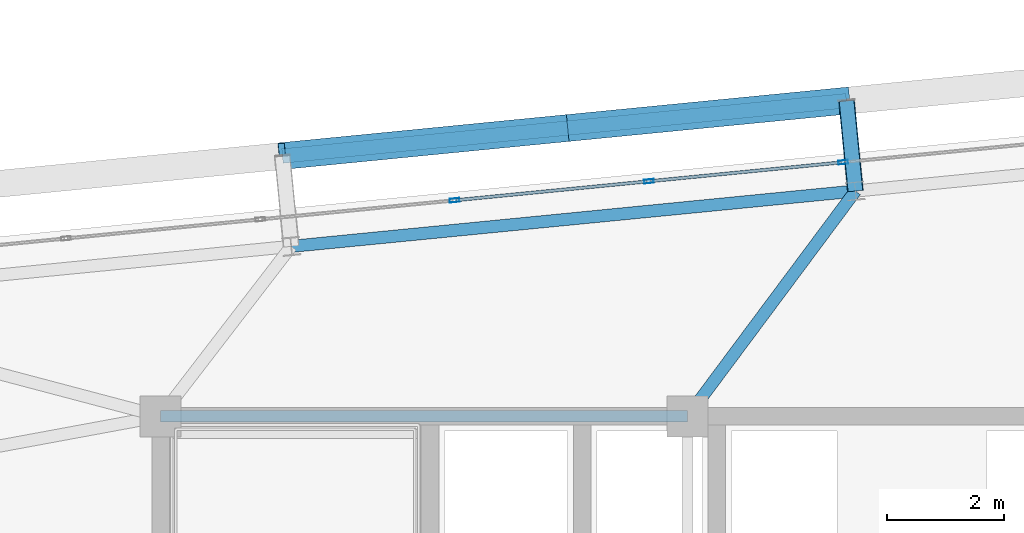
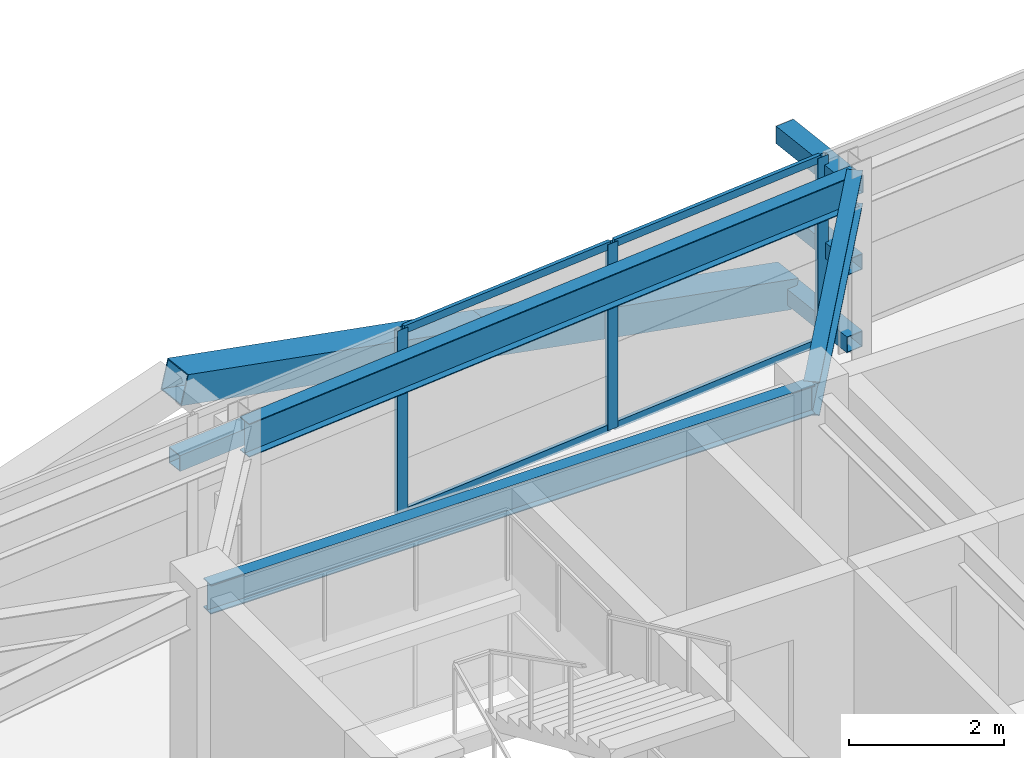
# One storey, part 29 of 53: 13 members, 3 beams, 1 element without a shape of its own.
"""IFC4 building model written with IfcOpenShell, lengths in metres."""

import ifcopenshell
import ifcopenshell.guid

model = None  # the IFC model being written
_history = None  # IfcOwnerHistory: only IFC2X3 demands one
_inside = {}  # id of a spatial element -> (the spatial element, [elements in it])
_under = {}  # id of a project, library or spatial element -> (it, [spatial elements below it])
_declared = {}  # id of a project -> (the project, [libraries it declares])
_typed = {}  # id of a type object -> (the type object, [elements of that type])
_made_of = {}  # id of a material, layer set ... -> (it, [elements and type objects made of it])


def new_model(schema):
    """Start an empty IFC model of exactly this schema.

    Asked for "IFC4X3", IfcOpenShell would pick the latest addendum, in which some entities
    have other attributes; the version numbers below select the first issue.
    IFC2X3 requires an IfcOwnerHistory on every rooted entity: one is made here for all.
    """
    global model, _history
    if schema == "IFC4X3":
        model = ifcopenshell.file(schema_version=(4, 3, 0, 0))
    else:
        model = ifcopenshell.file(schema=schema)
    _inside.clear()
    _under.clear()
    _declared.clear()
    _typed.clear()
    _made_of.clear()
    _history = None
    if model.schema == "IFC2X3":
        org = make("IfcOrganization", Name="unknown")
        user = make(
            "IfcPersonAndOrganization",
            ThePerson=make("IfcPerson", FamilyName="unknown"),
            TheOrganization=org,
        )
        app = make(
            "IfcApplication",
            ApplicationDeveloper=org,
            Version="unknown",
            ApplicationFullName="unknown",
            ApplicationIdentifier="unknown",
        )
        _history = make(
            "IfcOwnerHistory",
            OwningUser=user,
            OwningApplication=app,
            ChangeAction="ADDED",
            CreationDate=0,
        )
    return model


def make(cls, **values):
    """One entity of the class cls with the attributes given. An attribute that is None is left unset."""
    return model.create_entity(
        cls, **{name: value for name, value in values.items() if value is not None}
    )


def rooted(cls, **values):
    """An entity with a GlobalId (a new one), such as an element, a storey or a relation."""
    return make(cls, GlobalId=ifcopenshell.guid.new(), OwnerHistory=_history, **values)


def si_unit(unit_type, name, prefix=None):
    """IfcSIUnit, for example si_unit("LENGTHUNIT", "METRE", prefix="MILLI")."""
    return make("IfcSIUnit", UnitType=unit_type, Prefix=prefix, Name=name)


def assignment(units):
    """IfcUnitAssignment: the units of a project."""
    return None if units is None else make("IfcUnitAssignment", Units=units)


def point(xyz):
    """IfcCartesianPoint."""
    return None if xyz is None else make("IfcCartesianPoint", Coordinates=xyz)


def direction(xyz):
    """IfcDirection."""
    return None if xyz is None else make("IfcDirection", DirectionRatios=xyz)


def frame(location, z_axis=None, x_axis=None):
    """IfcAxis2Placement3D, a coordinate frame: its origin and axes. An axis left out is left unset."""
    return make(
        "IfcAxis2Placement3D",
        Location=point(location),
        Axis=direction(z_axis),
        RefDirection=direction(x_axis),
    )


def frame_2d(location, x_axis=None):
    """IfcAxis2Placement2D, a coordinate frame in the plane: its origin and x axis."""
    return make(
        "IfcAxis2Placement2D", Location=point(location), RefDirection=direction(x_axis)
    )


def origin():
    """The frame at (0, 0, 0) with its axes left unset."""
    return frame((0.0, 0.0, 0.0))


def origin_2d():
    """The frame at (0, 0) in the plane with its x axis left unset."""
    return frame_2d((0.0, 0.0))


def place(relative_to, where):
    """IfcLocalPlacement: puts the frame where relative to a parent placement (None: the world)."""
    return make(
        "IfcLocalPlacement", PlacementRelTo=relative_to, RelativePlacement=where
    )


def context(
    kind, dimensions, precision=None, world=None, true_north=None, identifier=None
):
    """IfcGeometricRepresentationContext, for example the 3D "Model" context."""
    return make(
        "IfcGeometricRepresentationContext",
        ContextIdentifier=identifier,
        ContextType=kind,
        CoordinateSpaceDimension=dimensions,
        Precision=precision,
        WorldCoordinateSystem=world,
        TrueNorth=true_north,
    )


def subcontext(parent, identifier, kind, view, scale=None):
    """IfcGeometricRepresentationSubContext, for example "Body" below "Model"."""
    return make(
        "IfcGeometricRepresentationSubContext",
        ContextIdentifier=identifier,
        ContextType=kind,
        ParentContext=parent,
        TargetScale=scale,
        TargetView=view,
    )


def project(units=None, contexts=None):
    """IfcProject with its units and contexts."""
    return rooted(
        "IfcProject",
        Name="project",
        RepresentationContexts=contexts,
        UnitsInContext=assignment(units),
    )


def spatial(cls, under=None, at=None, **own):
    """A site, building, storey or space (cls), placed at a placement, below another one or the project."""
    s = rooted(cls, ObjectPlacement=at, **own)
    if under is not None:
        _under.setdefault(under.id(), (under, []))[1].append(s)
    return s


def profile(cls, at=None, kind="AREA", **sizes):
    """A parametric profile (cls). Its sizes go by their IFC names, for example OverallWidth=200.0."""
    return make(cls, ProfileType=kind, Position=at, **sizes)


def hollow_rectangle(**sizes):
    """IfcRectangleHollowProfileDef."""
    return profile("IfcRectangleHollowProfileDef", **sizes)


def i_section(**sizes):
    """IfcIShapeProfileDef."""
    return profile("IfcIShapeProfileDef", **sizes)


def extrude(swept, where, along, depth):
    """IfcExtrudedAreaSolid: the profile swept, set in the frame where, extruded along a direction by depth."""
    return make(
        "IfcExtrudedAreaSolid",
        SweptArea=swept,
        Position=where,
        ExtrudedDirection=direction(along),
        Depth=depth,
    )


def shape(context_of_items, identifier, shape_type, items):
    """IfcShapeRepresentation: the items that make up one representation, for example the "Body"."""
    return make(
        "IfcShapeRepresentation",
        ContextOfItems=context_of_items,
        RepresentationIdentifier=identifier,
        RepresentationType=shape_type,
        Items=items,
    )


def source(mapping_origin, context_of_items, identifier, shape_type, items):
    """IfcRepresentationMap: a shape defined once, which mapped items show again and again."""
    return make(
        "IfcRepresentationMap",
        MappingOrigin=mapping_origin,
        MappedRepresentation=shape(context_of_items, identifier, shape_type, items),
    )


def transform(
    local_origin,
    x_axis=None,
    y_axis=None,
    z_axis=None,
    scale=None,
    scale2=None,
    scale3=None,
    uniform=True,
):
    """IfcCartesianTransformationOperator3D, or its non-uniform kind. x_axis, y_axis, z_axis: its Axis1, 2, 3."""
    if uniform:
        return make(
            "IfcCartesianTransformationOperator3D",
            Axis1=direction(x_axis),
            Axis2=direction(y_axis),
            LocalOrigin=point(local_origin),
            Scale=scale,
            Axis3=direction(z_axis),
        )
    return make(
        "IfcCartesianTransformationOperator3DnonUniform",
        Axis1=direction(x_axis),
        Axis2=direction(y_axis),
        LocalOrigin=point(local_origin),
        Scale=scale,
        Axis3=direction(z_axis),
        Scale2=scale2,
        Scale3=scale3,
    )


def mapped(mapping_source, mapping_target):
    """IfcMappedItem: shows the shape of a source again, moved by a transform."""
    return make(
        "IfcMappedItem", MappingSource=mapping_source, MappingTarget=mapping_target
    )


def material(Name=None, Category=None):
    """IfcMaterial."""
    return make("IfcMaterial", Name=Name, Category=Category)


def layer(
    of_material, thickness, ventilated=None, Name=None, Category=None, Priority=None
):
    """IfcMaterialLayer: one layer of a wall or slab, of a material (None: an air gap)."""
    return make(
        "IfcMaterialLayer",
        Material=of_material,
        LayerThickness=thickness,
        IsVentilated=ventilated,
        Name=Name,
        Category=Category,
        Priority=Priority,
    )


def layer_set(layers, Name=None):
    """IfcMaterialLayerSet."""
    return make("IfcMaterialLayerSet", MaterialLayers=layers, LayerSetName=Name)


def material_profile(
    of_material, cross_section, Name=None, Category=None, Priority=None
):
    """IfcMaterialProfile: a cross section and its material."""
    return make(
        "IfcMaterialProfile",
        Name=Name,
        Material=of_material,
        Profile=cross_section,
        Priority=Priority,
        Category=Category,
    )


def profile_set(profiles, Name=None, composite=None):
    """IfcMaterialProfileSet."""
    return make(
        "IfcMaterialProfileSet",
        Name=Name,
        MaterialProfiles=profiles,
        CompositeProfile=composite,
    )


def made_of(thing, what):
    """Note that an element or type object is made of a material, layer set ...; save() writes the relation."""
    if what is not None:
        _made_of.setdefault(what.id(), (what, []))[1].append(thing)
    return thing


def type_object(cls, material=None, **own):
    """A type object (cls), such as IfcWallType, which elements share."""
    return made_of(rooted(cls, **own), material)


def element(
    cls,
    number,
    at=None,
    inside=None,
    cuts=None,
    type_object=None,
    material=None,
    context=None,
    identifier="Body",
    shape_type=None,
    held_by="IfcProductDefinitionShape",
    body=None,
    shapes=None,
    **own,
):
    """One element of the class cls, such as IfcWall. Its Tag is "e" and its number.

    at: its placement. inside: the storey or other place that contains it. cuts: it is an
    opening in that element (IfcRelVoidsElement). A single representation is given by context,
    identifier, shape_type and body (its items); several are given by shapes. held_by: the class
    of the entity that holds the representations. save() writes the other relations.
    """
    e = rooted(cls, Tag="e%d" % number, ObjectPlacement=at, **own)
    if body is not None:
        shapes = [shape(context, identifier, shape_type, body)]
    if shapes is not None:
        e.Representation = make(held_by, Representations=shapes)
    if inside is not None:
        _inside.setdefault(inside.id(), (inside, []))[1].append(e)
    if cuts is not None:
        rooted(
            "IfcRelVoidsElement", RelatingBuildingElement=cuts, RelatedOpeningElement=e
        )
    if type_object is not None:
        _typed.setdefault(type_object.id(), (type_object, []))[1].append(e)
    return made_of(e, material)


def aggregate(whole, parts):
    """IfcRelAggregates: a whole, such as a stair, and the parts it consists of."""
    return rooted("IfcRelAggregates", RelatingObject=whole, RelatedObjects=parts)


def save(model, path):
    """Write the relations noted so far, then the file.

    IfcRelAggregates (storeys below a building ...), IfcRelContainedInSpatialStructure (elements
    in a storey), IfcRelDefinesByType, IfcRelAssociatesMaterial and IfcRelDeclares: one each for
    every whole, place, type object, material and project.
    """
    for whole, parts in _under.values():
        aggregate(whole, parts)
    for where, things in _inside.values():
        rooted(
            "IfcRelContainedInSpatialStructure",
            RelatedElements=things,
            RelatingStructure=where,
        )
    for kind, things in _typed.values():
        rooted("IfcRelDefinesByType", RelatedObjects=things, RelatingType=kind)
    for what, things in _made_of.values():
        rooted("IfcRelAssociatesMaterial", RelatedObjects=things, RelatingMaterial=what)
    for by, libraries in _declared.values():
        rooted("IfcRelDeclares", RelatingContext=by, RelatedDefinitions=libraries)
    model.write(path)


model = new_model("IFC4")

# Units and contexts
model_context = context("Model", 3, precision=1e-05, world=origin(), true_north=direction((0.0, 1.0)))
body_context = subcontext(model_context, "Body", "Model", "MODEL_VIEW")
ifc_project = project(units=[si_unit("LENGTHUNIT", "METRE"), si_unit("AREAUNIT", "SQUARE_METRE"), si_unit("VOLUMEUNIT", "CUBIC_METRE"), si_unit("PLANEANGLEUNIT", "RADIAN"), si_unit("MASSUNIT", "GRAM", prefix="KILO")], contexts=[model_context])

# Site, building, storey
site_placement = place(None, origin())
site = spatial("IfcSite", under=ifc_project, at=site_placement, CompositionType="ELEMENT")
building_placement = place(site_placement, origin())
building = spatial("IfcBuilding", under=site, at=building_placement, Name="Taldren Reach Tower", CompositionType="ELEMENT")
storey_placement = place(building_placement, frame((0.0, 0.0, 68.25)))
storey = spatial("IfcBuildingStorey", under=building, at=storey_placement, Name="L20", CompositionType="ELEMENT", Elevation=68.25)

# Beam
ifc_material_1 = material(Name="Steel Gr 350 (350PLUS)", Category="steel")
ifc_material_profile_1 = material_profile(ifc_material_1, i_section(OverallWidth=0.19091796875, OverallDepth=0.4599609375, WebThickness=0.010009765625, FlangeThickness=0.01611328125, at=origin_2d()), Name="460UB82.1")
ifc_profile_set_1 = profile_set([ifc_material_profile_1], Name="Steel Gr 350 (350PLUS)")
beam_type_1 = type_object("IfcBeamType", Name="BM-UB460A", PredefinedType="BEAM", material=ifc_profile_set_1)
shared_shape_1 = source(origin(), body_context, "Body", "SweptSolid", [
    extrude(i_section(OverallWidth=0.19091796875, OverallDepth=0.4599609375, WebThickness=0.010009765625, FlangeThickness=0.01611328125, at=origin_2d()), origin(), (0.0, 0.0, 1.0), 9.0),
])
beam_1_placement = place(storey_placement, frame((19.0, 32.0, 2.699951171875), z_axis=(1.0, 0.0, 0.0), x_axis=(0.0, 1.0, 0.0)))
element("IfcBeam", 1, at=beam_1_placement, inside=storey, type_object=beam_type_1, Name="Core-spine girder L20-SP04", PredefinedType="BEAM", context=body_context, shape_type="MappedRepresentation", body=[
    mapped(shared_shape_1, transform((0.0, 0.0, 0.0), scale=1.0)),
])

# Members
ifc_material_2 = material(Name="Steel Gr 450 (C450L0)", Category="steel")
ifc_material_profile_2 = material_profile(ifc_material_2, hollow_rectangle(XDim=0.27490234375, YDim=0.27490234375, WallThickness=0.00927734375, at=origin_2d()), Name="275x275x9.3SHS")
ifc_profile_set_2 = profile_set([ifc_material_profile_2], Name="Steel Gr 450 (C450L0)")
member_type_1 = type_object("IfcMemberType", Name="MB-TIE273", PredefinedType="STRUT", material=ifc_profile_set_2)
shared_shape_2 = source(origin(), body_context, "Body", "SweptSolid", [
    extrude(hollow_rectangle(XDim=0.27490234375, YDim=0.27490234375, WallThickness=0.00927734375, at=origin_2d()), origin(), (0.0, 0.0, 1.0), 1.5498046875),
])
member_1_placement = place(storey_placement, frame((30.864501953125, 35.84619140625, 2.64990234375), z_axis=(-0.097663201064, 0.995219523099, 0.0), x_axis=(-0.995219523099, -0.097663201064, 0.0)))
element("IfcMember", 2, at=member_1_placement, inside=storey, type_object=member_type_1, Name="Exoskeleton diaphragm tie strut B2-N3 L20", PredefinedType="STRUT", context=body_context, shape_type="MappedRepresentation", body=[
    mapped(shared_shape_2, transform((0.0, 0.0, 0.0), scale=1.0)),
])
ifc_material_3 = material(Name="Steel Gr 350 (C350L0)", Category="steel")
ifc_material_profile_3 = material_profile(ifc_material_3, hollow_rectangle(XDim=0.25, YDim=0.25, WallThickness=0.010009765625, at=origin_2d()), Name="250x250x10.0SHS")
ifc_profile_set_3 = profile_set([ifc_material_profile_3], Name="Steel Gr 350 (C350L0)")
member_type_2 = type_object("IfcMemberType", Name="MB-POST250", PredefinedType="POST", material=ifc_profile_set_3)
shared_shape_3 = source(origin(), body_context, "Body", "SweptSolid", [
    extrude(hollow_rectangle(XDim=0.25, YDim=0.25, WallThickness=0.010009765625, at=origin_2d()), origin(), (0.0, 0.0, 1.0), 1.5498046875),
])
for number, where, z_axis, x_axis, name in (
    (3, (30.864501953125, 35.84619140625, 0.219970703125), (-0.097663201064, 0.995219523099, 0.0), (-0.995219523099, -0.097663201064, 0.0), "Exoskeleton base diaphragm tie strut B2-N3 L20"),
    (4, (30.864501953125, 35.84619140625, 1.43505859375), (-0.097663201064, 0.995219523099, 0.0), (-0.995219523099, -0.097663201064, 0.0), "Exoskeleton mid-tier diaphragm tie B2-N3 L20"),
):
    element("IfcMember", number, at=place(storey_placement, frame(where, z_axis=z_axis, x_axis=x_axis)), inside=storey, type_object=member_type_2, Name=name, PredefinedType="POST", context=body_context, shape_type="MappedRepresentation", body=[
        mapped(shared_shape_3, transform((0.0, 0.0, 0.0), scale=1.0)),
    ])

# Beams
ifc_material_profile_4 = material_profile(ifc_material_1, i_section(OverallWidth=0.208984375, OverallDepth=0.528076171875, WebThickness=0.009521484375, FlangeThickness=0.01318359375, at=origin_2d()), Name="530UB82.0")
ifc_profile_set_4 = profile_set([ifc_material_profile_4], Name="Steel Gr 350 (350PLUS)")
beam_type_2 = type_object("IfcBeamType", Name="SP-UB530B", PredefinedType="SPANDREL", material=ifc_profile_set_4)
shared_shape_4 = source(origin(), body_context, "Body", "SweptSolid", [
    extrude(i_section(OverallWidth=0.208984375, OverallDepth=0.528076171875, WebThickness=0.009521484375, FlangeThickness=0.01318359375, at=origin_2d()), origin(), (0.0, 0.0, 1.0), 9.679931640625),
])
beam_2_placement = place(storey_placement, frame((30.864501953125, 35.84619140625, 2.666015625), z_axis=(-0.995225162995, -0.097605711627, 0.0), x_axis=(0.097605711627, -0.995225162995, 0.0)))
element("IfcBeam", 5, at=beam_2_placement, inside=storey, type_object=beam_type_2, Name="Perimeter spandrel B2 N3-N2 L20", PredefinedType="SPANDREL", context=body_context, shape_type="MappedRepresentation", body=[
    mapped(shared_shape_4, transform((0.0, 0.0, 0.0), scale=1.0)),
])
ifc_material_profile_5 = material_profile(ifc_material_1, i_section(OverallWidth=0.208984375, OverallDepth=0.532958984375, WebThickness=0.01025390625, FlangeThickness=0.015625, at=origin_2d()), Name="530UB92.4")
ifc_profile_set_5 = profile_set([ifc_material_profile_5], Name="Steel Gr 350 (350PLUS)")
beam_type_3 = type_object("IfcBeamType", Name="BM-UB530A", PredefinedType="BEAM", material=ifc_profile_set_5)
shared_shape_5 = source(origin(), body_context, "Body", "SweptSolid", [
    extrude(i_section(OverallWidth=0.208984375, OverallDepth=0.532958984375, WebThickness=0.01025390625, FlangeThickness=0.015625, at=origin_2d()), origin(), (0.0, 0.0, 1.0), 4.795654296875),
])
beam_3_placement = place(storey_placement, frame((28.0, 32.0, 2.66357421875), z_axis=(0.59730864792, 0.802011458223, 0.0), x_axis=(-0.802011458223, 0.59730864792, 0.0)))
element("IfcBeam", 6, at=beam_3_placement, inside=storey, type_object=beam_type_3, Name="Primary floor girder B2-N3 L20", PredefinedType="BEAM", context=body_context, shape_type="MappedRepresentation", body=[
    mapped(shared_shape_5, transform((0.0, 0.0, 0.0), scale=1.0)),
])

# Members
ifc_material_profile_6 = material_profile(ifc_material_2, hollow_rectangle(XDim=0.4599609375, YDim=0.4599609375, WallThickness=0.01611328125, at=origin_2d()), Name="460x460x16.0SHS")
ifc_profile_set_6 = profile_set([ifc_material_profile_6], Name="Steel Gr 450 (C450L0)")
member_type_3 = type_object("IfcMemberType", Name="MB-EXO457", PredefinedType="BRACE", material=ifc_profile_set_6)
shared_shape_6 = source(origin(), body_context, "Body", "SweptSolid", [
    extrude(hollow_rectangle(XDim=0.4599609375, YDim=0.4599609375, WallThickness=0.01611328125, at=origin_2d()), origin(), (0.0, 0.0, 1.0), 4.990234375),
])
for number, where, z_axis, x_axis, name in (
    (7, (30.713134765625, 37.388671875, 0.219970703125), (-0.965275526283, -0.094619506732, 0.243496010862), (0.097555749586, -0.995230061706, 0.0), "Exoskeleton Diagrid Brace B2-N2 L20"),
    (8, (25.896240234375, 36.91650390625, 1.43505859375), (-0.965282554799, -0.094669120301, 0.243448859234), (0.097605711627, -0.995225162995, 0.0), "Exoskeleton Diagrid Brace B2-N2 L20"),
):
    element("IfcMember", number, at=place(storey_placement, frame(where, z_axis=z_axis, x_axis=x_axis)), inside=storey, type_object=member_type_3, Name=name, PredefinedType="BRACE", context=body_context, shape_type="MappedRepresentation", body=[
        mapped(shared_shape_6, transform((0.0, 0.0, 0.0), scale=1.0)),
    ])
shared_shape_7 = source(origin(), body_context, "Body", "SweptSolid", [
    extrude(hollow_rectangle(XDim=0.25, YDim=0.25, WallThickness=0.010009765625, at=origin_2d()), origin(), (0.0, 0.0, 1.0), 9.679931640625),
])
member_2_placement = place(storey_placement, frame((21.079345703125, 36.444091796875, 1.43505859375), z_axis=(0.995227612658, 0.097580730699, 0.0), x_axis=(-0.097580730699, 0.995227612658, 0.0)))
element("IfcMember", 9, at=member_2_placement, inside=storey, type_object=member_type_2, Name="Exoskeleton mid-height ring chord B2-N2 L20", PredefinedType="POST", context=body_context, shape_type="MappedRepresentation", body=[
    mapped(shared_shape_7, transform((0.0, 0.0, 0.0), scale=1.0)),
])

# Curtain wall, members
ifc_material_4 = material(Name="Aluminium and Low-E Glass Unitised System", Category="aluminium")
ifc_layer = layer(ifc_material_4, 0.159912109375)
ifc_layer_set = layer_set([ifc_layer], Name="Aluminium and Low-E Glass Unitised System")
curtain_wall_type = type_object("IfcCurtainWallType", Name="CW-SYS-3", PredefinedType="NOTDEFINED", material=ifc_layer_set)
curtain_wall_placement = place(storey_placement, origin())
curtain_wall = element("IfcCurtainWall", 10, at=curtain_wall_placement, inside=storey, type_object=curtain_wall_type, Name="Unitised curtain wall CW-L20-N", PredefinedType="NOTDEFINED")
ifc_material_5 = material(Name="Anodised Aluminium 6063-T6", Category="aluminium")
ifc_material_profile_7 = material_profile(ifc_material_5, hollow_rectangle(XDim=0.06494140625, YDim=0.1650390625, WallThickness=0.00390625, at=origin_2d()), Name="ALU-165x65x4RHS")
ifc_profile_set_7 = profile_set([ifc_material_profile_7], Name="Anodised Aluminium 6063-T6")
member_type_4 = type_object("IfcMemberType", Name="CW-MUL-165", PredefinedType="MULLION", material=ifc_profile_set_7)
shared_shape_8 = source(origin(), body_context, "Body", "SweptSolid", [
    extrude(hollow_rectangle(XDim=0.06494140625, YDim=0.1650390625, WallThickness=0.00390625, at=origin_2d()), origin(), (0.0, 0.0, 1.0), 2.929931640625),
])
member_3_placement = place(storey_placement, frame((30.655517578125, 36.338134765625, 0.0), z_axis=(0.0, 0.0, 1.0), x_axis=(0.097582999046, -0.995227390247, 0.0)))
member_3 = element("IfcMember", 11, at=member_3_placement, type_object=member_type_4, Name="CW-3 mullion 10", PredefinedType="MULLION", context=body_context, shape_type="MappedRepresentation", body=[
    mapped(shared_shape_8, transform((0.0, 0.0, 0.0), scale=1.0)),
])
member_4_placement = place(storey_placement, frame((27.337890625, 36.0126953125, 0.0), z_axis=(0.0, 0.0, 1.0), x_axis=(0.097582999046, -0.995227390247, 0.0)))
member_4 = element("IfcMember", 12, at=member_4_placement, type_object=member_type_4, Name="CW-3 mullion 11", PredefinedType="MULLION", context=body_context, shape_type="MappedRepresentation", body=[
    mapped(shared_shape_8, transform((0.0, 0.0, 0.0), scale=1.0)),
])
member_5_placement = place(storey_placement, frame((24.0205078125, 35.6875, 0.0), z_axis=(0.0, 0.0, 1.0), x_axis=(0.097582999046, -0.995227390247, 0.0)))
member_5 = element("IfcMember", 13, at=member_5_placement, type_object=member_type_4, Name="CW-3 mullion 12", PredefinedType="MULLION", context=body_context, shape_type="MappedRepresentation", body=[
    mapped(shared_shape_8, transform((0.0, 0.0, 0.0), scale=1.0)),
])
ifc_material_profile_8 = material_profile(ifc_material_5, hollow_rectangle(XDim=0.054931640625, YDim=0.1201171875, WallThickness=0.0029296875, at=origin_2d()), Name="ALU-120x55x3RHS")
ifc_profile_set_8 = profile_set([ifc_material_profile_8], Name="Anodised Aluminium 6063-T6")
member_type_5 = type_object("IfcMemberType", Name="CW-TRN-135", PredefinedType="USERDEFINED", material=ifc_profile_set_8)
shared_shape_9 = source(origin(), body_context, "Body", "SweptSolid", [
    extrude(hollow_rectangle(XDim=0.054931640625, YDim=0.1201171875, WallThickness=0.0029296875, at=origin_2d()), origin(), (0.0, 0.0, 1.0), 3.268310546875),
])
member_6_placement = place(storey_placement, frame((30.623046875, 36.3349609375, 0.027587890625), z_axis=(-0.995222549564, -0.097632355496, 0.0), x_axis=(0.097632355496, -0.995222549564, 0.0)))
member_6 = element("IfcMember", 14, at=member_6_placement, type_object=member_type_5, Name="CW-3 transom 10.1", ObjectType="TRANSOM", PredefinedType="USERDEFINED", context=body_context, shape_type="MappedRepresentation", body=[
    mapped(shared_shape_9, transform((0.0, 0.0, 0.0), scale=1.0)),
])
member_7_placement = place(storey_placement, frame((30.623046875, 36.3349609375, 2.902587890625), z_axis=(-0.995222549564, -0.097632355496, 0.0), x_axis=(0.097632355496, -0.995222549564, 0.0)))
member_7 = element("IfcMember", 15, at=member_7_placement, type_object=member_type_5, Name="CW-3 transom 10.2", ObjectType="TRANSOM", PredefinedType="USERDEFINED", context=body_context, shape_type="MappedRepresentation", body=[
    mapped(shared_shape_9, transform((0.0, 0.0, 0.0), scale=1.0)),
])
member_8_placement = place(storey_placement, frame((27.3056640625, 36.009521484375, 0.027587890625), z_axis=(-0.99522980512, -0.097558367146, 0.0), x_axis=(0.097558367146, -0.99522980512, 0.0)))
member_8 = element("IfcMember", 16, at=member_8_placement, type_object=member_type_5, Name="CW-3 transom 11.1", ObjectType="TRANSOM", PredefinedType="USERDEFINED", context=body_context, shape_type="MappedRepresentation", body=[
    mapped(shared_shape_9, transform((0.0, 0.0, 0.0), scale=1.0)),
])
member_9_placement = place(storey_placement, frame((27.3056640625, 36.009521484375, 2.902587890625), z_axis=(-0.99522980512, -0.097558367146, 0.0), x_axis=(0.097558367146, -0.99522980512, 0.0)))
member_9 = element("IfcMember", 17, at=member_9_placement, type_object=member_type_5, Name="CW-3 transom 11.2", ObjectType="TRANSOM", PredefinedType="USERDEFINED", context=body_context, shape_type="MappedRepresentation", body=[
    mapped(shared_shape_9, transform((0.0, 0.0, 0.0), scale=1.0)),
])
aggregate(curtain_wall, [member_3, member_4, member_5, member_6, member_7, member_8, member_9])

save(model, "model.ifc")
